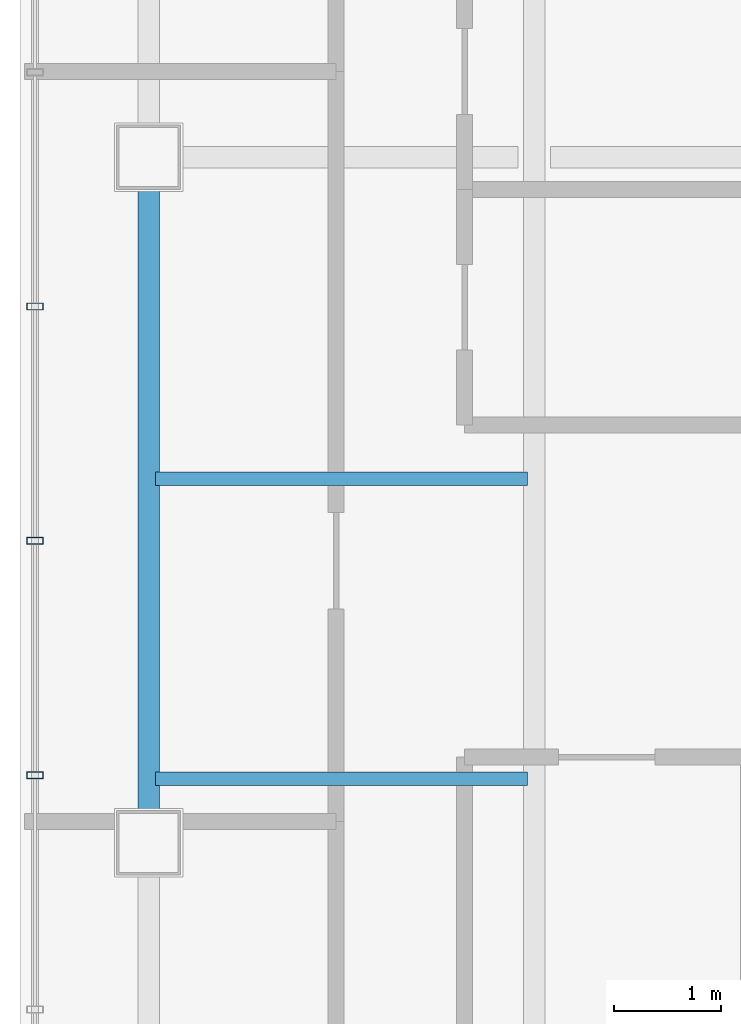
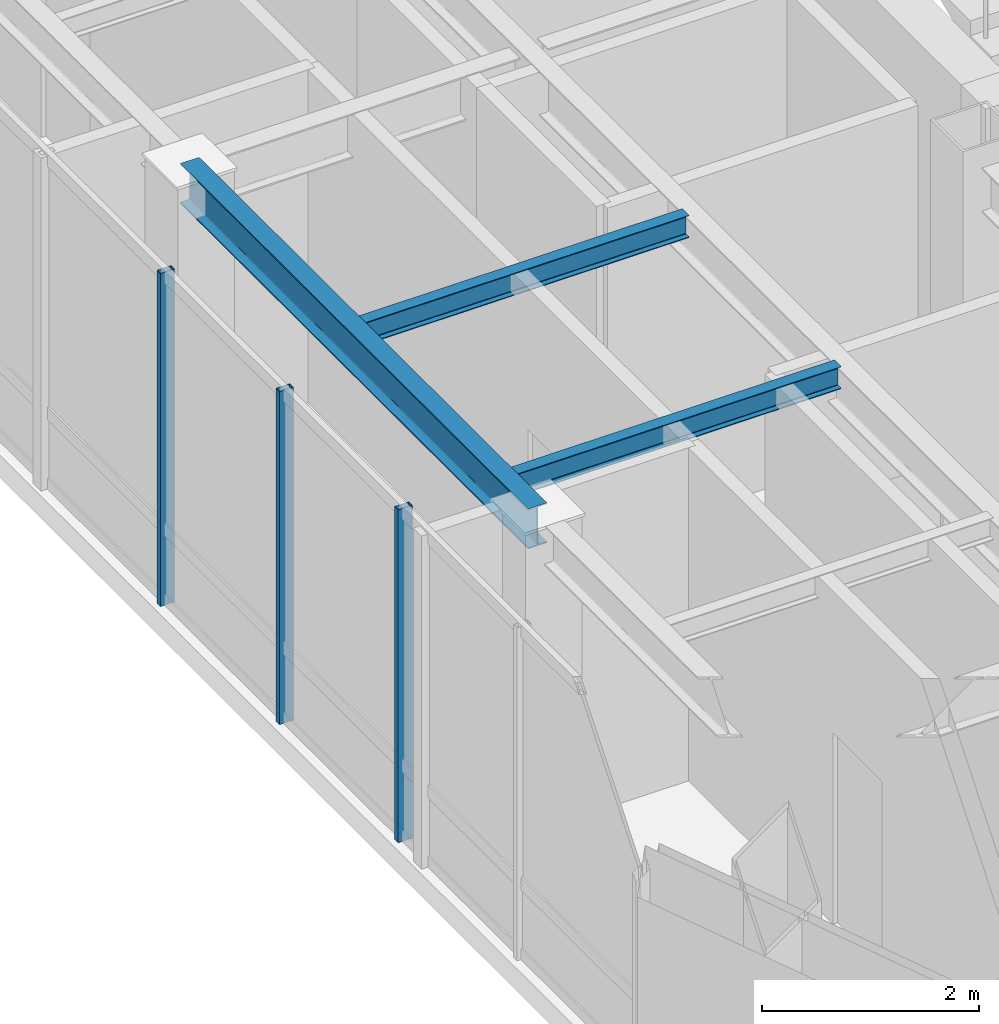
# One storey, part 12 of 31: 3 beams, 3 members, 1 element without a shape of its own.
"""IFC4 building model written with IfcOpenShell, lengths in metres."""

from ifc_helpers import new_model, si_unit, direction, frame, origin, origin_2d, place, context, subcontext, project, spatial, hollow_rectangle, i_section, extrude, material, layer, layer_set, material_profile, profile_set, type_object, element, aggregate, save


model = new_model("IFC4")

# Units and contexts
model_context = context("Model", 3, precision=1e-05, world=origin(), true_north=direction((0.0, 1.0)))
body_context = subcontext(model_context, "Body", "Model", "MODEL_VIEW")
ifc_project = project(units=[si_unit("LENGTHUNIT", "METRE"), si_unit("AREAUNIT", "SQUARE_METRE"), si_unit("VOLUMEUNIT", "CUBIC_METRE"), si_unit("PLANEANGLEUNIT", "RADIAN"), si_unit("MASSUNIT", "GRAM", prefix="KILO")], contexts=[model_context])

# Site, building, storey
site_placement = place(None, origin())
site = spatial("IfcSite", under=ifc_project, at=site_placement, CompositionType="ELEMENT")
building_placement = place(site_placement, origin())
building = spatial("IfcBuilding", under=site, at=building_placement, Name="Hatsunagi Terrace Concourse", CompositionType="ELEMENT")
storey_placement = place(building_placement, frame((0.0, 0.0, 269.949951171875)))
storey = spatial("IfcBuildingStorey", under=building, at=storey_placement, Name="L71", CompositionType="ELEMENT", Elevation=269.949951171875)

# Beams
ifc_material_1 = material(Name="Steel SN490B", Category="steel")
ifc_material_profile_1 = material_profile(ifc_material_1, i_section(OverallWidth=0.125, OverallDepth=0.25, WebThickness=0.006103515625, FlangeThickness=0.009033203125, FilletRadius=0.008056640625, at=origin_2d()), Name="H-250x125x6x9")
ifc_profile_set_1 = profile_set([ifc_material_profile_1], Name="Steel SN490B")
beam_type_1 = type_object("IfcBeamType", Name="CrownJoist_H_250x125", PredefinedType="JOIST", material=ifc_profile_set_1)
for number, where, z_axis, x_axis, name in (
    (1, (19.264892578125, 30.199951171875, 3.625), (1.0, 0.0, 0.0), (0.0, 1.0, 0.0), "Beam J-04 J-L71-W-19-302"),
    (2, (19.264892578125, 33.0, 3.625), (1.0, 0.0, 0.0), (0.0, 1.0, 0.0), "Beam J-04 J-L71-W-19-330"),
):
    element("IfcBeam", number, at=place(storey_placement, frame(where, z_axis=z_axis, x_axis=x_axis)), inside=storey, type_object=beam_type_1, Name=name, PredefinedType="JOIST", context=body_context, shape_type="SweptSolid", body=[
        extrude(i_section(OverallWidth=0.125, OverallDepth=0.25, WebThickness=0.006103515625, FlangeThickness=0.009033203125, FilletRadius=0.008056640625, at=origin_2d()), origin(), (0.0, 0.0, 1.0), 3.47021484375),
    ])

# Curtain wall, members
ifc_material_2 = material(Name="Anodised Aluminium Alloy 6063-T5", Category="aluminium")
ifc_layer = layer(ifc_material_2, 0.199951171875)
ifc_layer_set = layer_set([ifc_layer], Name="CrownWintergarden_CW06")
curtain_wall_type = type_object("IfcCurtainWallType", Name="CrownWintergarden_CW06", PredefinedType="NOTDEFINED", material=ifc_layer_set)
curtain_wall_placement = place(storey_placement, origin())
curtain_wall = element("IfcCurtainWall", 3, at=curtain_wall_placement, inside=storey, type_object=curtain_wall_type, Name="Unitised Curtain Wall CW-06 CW-L71-08", PredefinedType="NOTDEFINED")
ifc_material_3 = material(Name="Anodised Aluminium Alloy 6063-T5", Category="aluminium")
ifc_material_profile_2 = material_profile(ifc_material_3, hollow_rectangle(XDim=0.06494140625, YDim=0.14990234375, WallThickness=0.00390625, at=origin_2d()), Name="ALU-MUL-150x65x4")
ifc_profile_set_2 = profile_set([ifc_material_profile_2], Name="Anodised Aluminium Alloy 6063-T5")
member_type = type_object("IfcMemberType", Name="CurtainWallMullion_Crown_150x65", PredefinedType="MULLION", material=ifc_profile_set_2)
member_1_placement = place(storey_placement, frame((18.139892578125, 30.23193359375, 0.0), z_axis=(0.0, 0.0, 1.0), x_axis=(0.0, 1.0, 0.0)))
member_1 = element("IfcMember", 4, at=member_1_placement, type_object=member_type, Name="Curtain Wall Mullion MUL-03", PredefinedType="MULLION", context=body_context, shape_type="SweptSolid", body=[
    extrude(hollow_rectangle(XDim=0.06494140625, YDim=0.14990234375, WallThickness=0.00390625, at=origin_2d()), origin(), (0.0, 0.0, 1.0), 3.739990234375),
])
member_2_placement = place(storey_placement, frame((18.139892578125, 32.4189453125, 0.0), z_axis=(0.0, 0.0, 1.0), x_axis=(0.0, 1.0, 0.0)))
member_2 = element("IfcMember", 5, at=member_2_placement, type_object=member_type, Name="Curtain Wall Mullion MUL-03", PredefinedType="MULLION", context=body_context, shape_type="SweptSolid", body=[
    extrude(hollow_rectangle(XDim=0.06494140625, YDim=0.14990234375, WallThickness=0.00390625, at=origin_2d()), origin(), (0.0, 0.0, 1.0), 3.739990234375),
])
member_3_placement = place(storey_placement, frame((18.139892578125, 34.60595703125, 0.0), z_axis=(0.0, 0.0, 1.0), x_axis=(0.0, 1.0, 0.0)))
member_3 = element("IfcMember", 6, at=member_3_placement, type_object=member_type, Name="Curtain Wall Mullion MUL-03", PredefinedType="MULLION", context=body_context, shape_type="SweptSolid", body=[
    extrude(hollow_rectangle(XDim=0.06494140625, YDim=0.14990234375, WallThickness=0.00390625, at=origin_2d()), origin(), (0.0, 0.0, 1.0), 3.739990234375),
])
aggregate(curtain_wall, [member_1, member_2, member_3])

# Beam
ifc_material_4 = material(Name="Steel SN490B", Category="steel")
ifc_material_profile_3 = material_profile(ifc_material_4, i_section(OverallWidth=0.199951171875, OverallDepth=0.449951171875, WebThickness=0.009033203125, FlangeThickness=0.013916015625, FilletRadius=0.01611328125, at=origin_2d()), Name="H-450x200x9x14")
ifc_profile_set_3 = profile_set([ifc_material_profile_3], Name="Steel SN490B")
beam_type_2 = type_object("IfcBeamType", Name="PerimeterSpandrel_H_450x200", PredefinedType="SPANDREL", material=ifc_profile_set_3)
beam_placement = place(storey_placement, frame((19.199951171875, 29.60009765625, 3.525146484375), z_axis=(0.0, 1.0, 0.0), x_axis=(-1.0, 0.0, 0.0)))
element("IfcBeam", 7, at=beam_placement, inside=storey, type_object=beam_type_2, Name="Beam SP-02 BM-L71-NS-19-29", PredefinedType="SPANDREL", context=body_context, shape_type="SweptSolid", body=[
    extrude(i_section(OverallWidth=0.199951171875, OverallDepth=0.449951171875, WebThickness=0.009033203125, FlangeThickness=0.013916015625, FilletRadius=0.01611328125, at=origin_2d()), origin(), (0.0, 0.0, 1.0), 6.39990234375),
])

save(model, "model.ifc")
